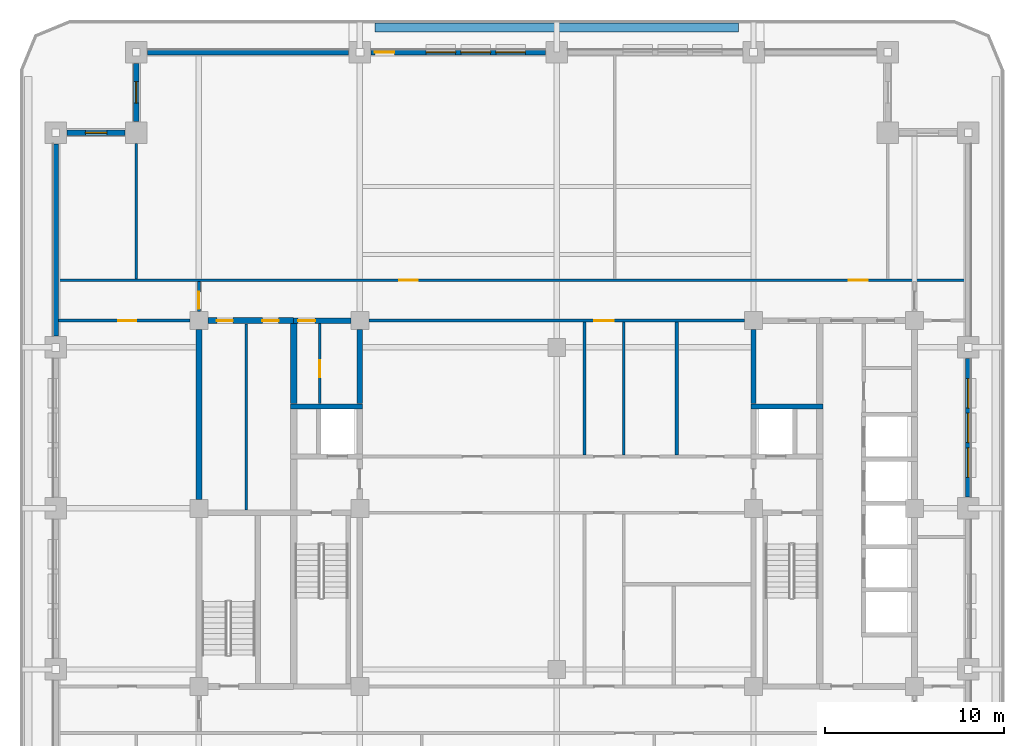
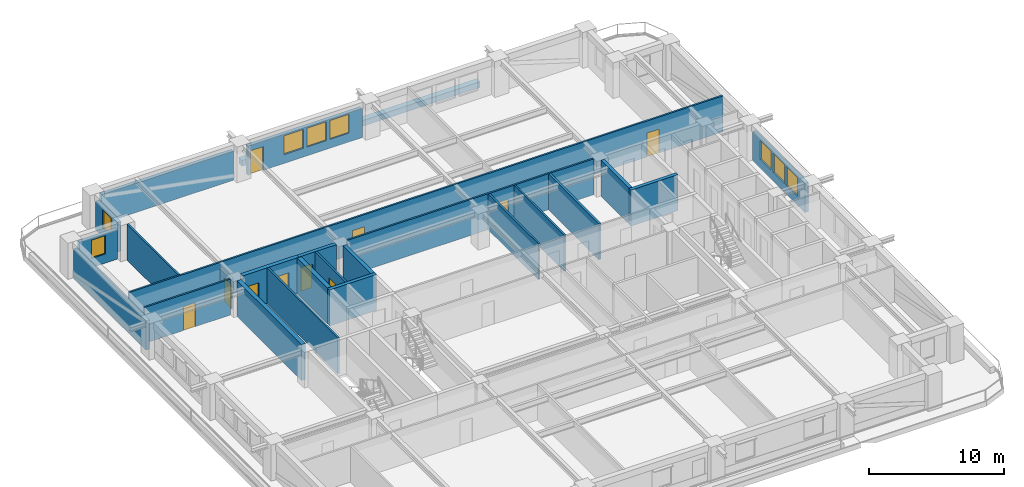
# One storey, part 5 of 15: 25 walls, 10 doors, 8 windows, 18 openings.
"""IFC4 building model written with IfcOpenShell, lengths in metres."""

from ifc_helpers import new_model, si_unit, direction, frame, frame_2d, origin, place, context, subcontext, project, spatial, rectangle, extrude, material, layer, layer_set, type_object, element, fill, save


model = new_model("IFC4")

# Units and contexts
model_context = context("Model", 3, precision=1e-05, world=origin(), true_north=direction((0.0, 1.0)))
body_context = subcontext(model_context, "Body", "Model", "MODEL_VIEW")
ifc_project = project(units=[si_unit("LENGTHUNIT", "METRE"), si_unit("AREAUNIT", "SQUARE_METRE"), si_unit("VOLUMEUNIT", "CUBIC_METRE"), si_unit("PLANEANGLEUNIT", "RADIAN"), si_unit("MASSUNIT", "GRAM", prefix="KILO")], contexts=[model_context])

# Site, building, storey
site_placement = place(None, origin())
site = spatial("IfcSite", under=ifc_project, at=site_placement, CompositionType="ELEMENT")
building_placement = place(site_placement, origin())
building = spatial("IfcBuilding", under=site, at=building_placement, Name="Zulmaris Gate Convention Tower", CompositionType="ELEMENT")
storey_placement = place(building_placement, frame((0.0, 0.0, 139.199951171875)))
storey = spatial("IfcBuildingStorey", under=building, at=storey_placement, Name="L35", CompositionType="ELEMENT", Elevation=139.199951171875)

# Walls
ifc_material_1 = material(Name="Concrete C50/60", Category="concrete")
ifc_layer_1 = layer(ifc_material_1, 0.300048828125, Name="Concrete C50/60")
ifc_layer_set_1 = layer_set([ifc_layer_1], Name="Concrete C50/60")
wall_type_1 = type_object("IfcWallType", Name="CORE-300", PredefinedType="SHEAR", material=ifc_layer_set_1)
for number, where, z_axis, x_axis, name in (
    (1, (-14.875, 5.699951171875, 0.0), (0.0, 0.0, 1.0), (1.0, 0.0, 0.0), "WL-L35-015"),
    (2, (10.85009765625, 5.699951171875, 0.0), (0.0, 0.0, 1.0), (1.0, 0.0, 0.0), "WL-L35-016"),
):
    element("IfcWall", number, at=place(storey_placement, frame(where, z_axis=z_axis, x_axis=x_axis)), inside=storey, type_object=wall_type_1, Name=name, PredefinedType="SHEAR", context=body_context, shape_type="SweptSolid", body=[
        extrude(rectangle(XDim=4.02490234375, YDim=0.300048828125, at=frame_2d((2.012451171875, 0.0))), origin(), (0.0, 0.0, 1.0), 3.244873046875),
    ])

# Wall, opening, door
wall_1_placement = place(storey_placement, frame((-14.699951171875, 10.5, 0.0), z_axis=(0.0, 0.0, 1.0), x_axis=(1.0, 0.0, 0.0)))
wall_1 = element("IfcWall", 3, at=wall_1_placement, inside=storey, type_object=wall_type_1, Name="WL-L35-018", PredefinedType="SHEAR", context=body_context, shape_type="SweptSolid", body=[
    extrude(rectangle(XDim=3.196044921875, YDim=0.300048828125, at=frame_2d((1.59814453125, 0.0))), origin(), (0.0, 0.0, 1.0), 3.244873046875),
])
opening_1_placement = place(wall_1_placement, frame((0.2451171875, 0.0, 0.0)))
opening_1 = element("IfcOpeningElement", 4, at=opening_1_placement, cuts=wall_1, Name="Opening D-11", PredefinedType="OPENING", context=body_context, shape_type="SweptSolid", body=[
    extrude(rectangle(XDim=0.949951171875, YDim=2.14990234375, at=frame_2d((0.47509765625, 1.074951171875))), frame((0.0, 0.16015625, 0.0), z_axis=(0.0, -1.0, 0.0), x_axis=(1.0, 0.0, 0.0)), (0.0, 0.0, 1.0), 0.320068359375),
])
ifc_material_2 = material(Name="Fire-Rated Timber", Category="wood")
door_type_1 = type_object("IfcDoorType", Name="DR-950-FD", OperationType="NOTDEFINED", PredefinedType="DOOR", material=ifc_material_2)
door_1_placement = place(opening_1_placement, origin())
door_1 = element("IfcDoor", 5, at=door_1_placement, inside=storey, type_object=door_type_1, Name="L35 Core Mail Room Door 07", OperationType="SINGLE_SWING_LEFT", OverallHeight=2.14990234375, OverallWidth=0.949951171875, PredefinedType="DOOR", context=body_context, shape_type="SweptSolid", body=[
    extrude(rectangle(XDim=0.949951171875, YDim=2.14990234375, at=frame_2d((0.47509765625, 1.074951171875))), frame((0.0, 0.02490234375, 0.0), z_axis=(0.0, -1.0, 0.0), x_axis=(1.0, 0.0, 0.0)), (0.0, 0.0, 1.0), 0.050048828125),
])
fill(opening_1, door_1)

# Walls
for number, where, z_axis, x_axis, name in (
    (6, (-11.0, 5.85205078125, 0.0), (0.0, 0.0, 1.0), (0.0, 1.0, 0.0), "WL-L35-046"),
    (7, (11.0, 5.85205078125, 0.0), (0.0, 0.0, 1.0), (0.0, 1.0, 0.0), "WL-L35-050"),
):
    element("IfcWall", number, at=place(storey_placement, frame(where, z_axis=z_axis, x_axis=x_axis)), inside=storey, type_object=wall_type_1, Name=name, PredefinedType="SHEAR", context=body_context, shape_type="SweptSolid", body=[
        extrude(rectangle(XDim=4.14404296875, YDim=0.300048828125, at=frame_2d((2.072021484375, 0.0))), origin(), (0.0, 0.0, 1.0), 3.244873046875),
    ])

# Wall, openings, doors
ifc_material_3 = material(Name="Concrete C55/67", Category="concrete")
ifc_layer_2 = layer(ifc_material_3, 0.35009765625, Name="Concrete C55/67")
ifc_layer_set_2 = layer_set([ifc_layer_2], Name="Concrete C55/67")
wall_type_2 = type_object("IfcWallType", Name="CORE-350", PredefinedType="SHEAR", material=ifc_layer_set_2)
wall_2_placement = place(storey_placement, frame((-19.49609375, 10.5, 0.0), z_axis=(0.0, 0.0, 1.0), x_axis=(1.0, 0.0, 0.0)))
wall_2 = element("IfcWall", 8, at=wall_2_placement, inside=storey, type_object=wall_type_2, Name="WL-L35-017", PredefinedType="SHEAR", context=body_context, shape_type="SweptSolid", body=[
    extrude(rectangle(XDim=4.796142578125, YDim=0.35009765625, at=frame_2d((2.39794921875, 0.0))), origin(), (0.0, 0.0, 1.0), 3.244873046875),
])
opening_2_placement = place(wall_2_placement, frame((0.49609375, 0.0, 0.0)))
opening_2 = element("IfcOpeningElement", 9, at=opening_2_placement, cuts=wall_2, Name="Opening D-12", PredefinedType="OPENING", context=body_context, shape_type="SweptSolid", body=[
    extrude(rectangle(XDim=0.89990234375, YDim=2.14990234375, at=frame_2d((0.449951171875, 1.074951171875))), frame((0.0, 0.18505859375, 0.0), z_axis=(0.0, -1.0, 0.0), x_axis=(1.0, 0.0, 0.0)), (0.0, 0.0, 1.0), 0.3701171875),
])
opening_3_placement = place(wall_2_placement, frame((3.0458984375, 0.0, 0.0)))
opening_3 = element("IfcOpeningElement", 10, at=opening_3_placement, cuts=wall_2, Name="Opening D-12", PredefinedType="OPENING", context=body_context, shape_type="SweptSolid", body=[
    extrude(rectangle(XDim=0.89990234375, YDim=2.14990234375, at=frame_2d((0.449951171875, 1.074951171875))), frame((0.0, 0.18505859375, 0.0), z_axis=(0.0, -1.0, 0.0), x_axis=(1.0, 0.0, 0.0)), (0.0, 0.0, 1.0), 0.3701171875),
])
door_type_2 = type_object("IfcDoorType", Name="DR-900-FD", OperationType="NOTDEFINED", PredefinedType="DOOR", material=ifc_material_2)
door_2_placement = place(opening_2_placement, origin())
door_2 = element("IfcDoor", 11, at=door_2_placement, inside=storey, type_object=door_type_2, Name="L35 Server Room Door 11", OperationType="SINGLE_SWING_LEFT", OverallHeight=2.14990234375, OverallWidth=0.89990234375, PredefinedType="DOOR", context=body_context, shape_type="SweptSolid", body=[
    extrude(rectangle(XDim=0.89990234375, YDim=2.14990234375, at=frame_2d((0.449951171875, 1.074951171875))), frame((0.0, 0.02490234375, 0.0), z_axis=(0.0, -1.0, 0.0), x_axis=(1.0, 0.0, 0.0)), (0.0, 0.0, 1.0), 0.050048828125),
])
fill(opening_2, door_2)
door_3_placement = place(opening_3_placement, origin())
door_3 = element("IfcDoor", 12, at=door_3_placement, inside=storey, type_object=door_type_2, Name="L35 Reclaimed Pantry Door 12", OperationType="SINGLE_SWING_RIGHT", OverallHeight=2.14990234375, OverallWidth=0.89990234375, PredefinedType="DOOR", context=body_context, shape_type="SweptSolid", body=[
    extrude(rectangle(XDim=0.89990234375, YDim=2.14990234375, at=frame_2d((0.449951171875, 1.074951171875))), frame((0.0, 0.02490234375, 0.0), z_axis=(0.0, -1.0, 0.0), x_axis=(1.0, 0.0, 0.0)), (0.0, 0.0, 1.0), 0.050048828125),
])
fill(opening_3, door_3)

# Walls
wall_3_placement = place(storey_placement, frame((-20.0, 0.50390625, 0.0), z_axis=(0.0, 0.0, 1.0), x_axis=(0.0, 1.0, 0.0)))
element("IfcWall", 13, at=wall_3_placement, inside=storey, type_object=wall_type_2, Name="WL-L35-035", PredefinedType="SHEAR", context=body_context, shape_type="SweptSolid", body=[
    extrude(rectangle(XDim=9.4921875, YDim=0.35009765625, at=frame_2d((4.74609375, 0.0))), origin(), (0.0, 0.0, 1.0), 3.244873046875),
])
wall_4_placement = place(storey_placement, frame((-14.699951171875, 5.85205078125, 0.0), z_axis=(0.0, 0.0, 1.0), x_axis=(0.0, 1.0, 0.0)))
element("IfcWall", 14, at=wall_4_placement, inside=storey, type_object=wall_type_2, Name="WL-L35-040", PredefinedType="SHEAR", context=body_context, shape_type="SweptSolid", body=[
    extrude(rectangle(XDim=4.470947265625, YDim=0.35009765625, at=frame_2d((2.2353515625, 0.0))), origin(), (0.0, 0.0, 1.0), 3.244873046875),
])

# Wall, opening, door
ifc_material_4 = material(Name="Gypsum Metal Stud Partition")
ifc_layer_3 = layer(ifc_material_4, 0.14990234375, Name="Gypsum Metal Stud Partition")
ifc_layer_set_3 = layer_set([ifc_layer_3], Name="Gypsum Metal Stud Partition")
wall_type_3 = type_object("IfcWallType", Name="PART-150", PredefinedType="PARTITIONING", material=ifc_layer_set_3)
wall_5_placement = place(storey_placement, frame((-27.8349609375, 10.5, 0.0), z_axis=(0.0, 0.0, 1.0), x_axis=(1.0, 0.0, 0.0)))
wall_5 = element("IfcWall", 15, at=wall_5_placement, inside=storey, type_object=wall_type_3, Name="WL-L35-030", PredefinedType="PARTITIONING", context=body_context, shape_type="SweptSolid", body=[
    extrude(rectangle(XDim=7.328857421875, YDim=0.14990234375, at=frame_2d((3.66455078125, 0.0))), origin(), (0.0, 0.0, 1.0), 3.244873046875),
])
opening_4_placement = place(wall_5_placement, frame((3.3349609375, 0.0, 0.0)))
opening_4 = element("IfcOpeningElement", 16, at=opening_4_placement, cuts=wall_5, Name="Opening D-10", PredefinedType="OPENING", context=body_context, shape_type="SweptSolid", body=[
    extrude(rectangle(XDim=1.0, YDim=2.14990234375, at=frame_2d((0.5, 1.074951171875))), frame((0.0, 0.0849609375, 0.0), z_axis=(0.0, -1.0, 0.0), x_axis=(1.0, 0.0, 0.0)), (0.0, 0.0, 1.0), 0.169921875),
])
door_type_3 = type_object("IfcDoorType", Name="DR-1000-FD", OperationType="NOTDEFINED", PredefinedType="DOOR", material=ifc_material_2)
door_4_placement = place(opening_4_placement, origin())
door_4 = element("IfcDoor", 17, at=door_4_placement, inside=storey, type_object=door_type_3, Name="L35 West Workplace North Door 39", OperationType="SINGLE_SWING_LEFT", OverallHeight=2.14990234375, OverallWidth=1.0, PredefinedType="DOOR", context=body_context, shape_type="SweptSolid", body=[
    extrude(rectangle(XDim=1.0, YDim=2.14990234375, at=frame_2d((0.5, 1.074951171875))), frame((0.0, 0.02490234375, 0.0), z_axis=(0.0, -1.0, 0.0), x_axis=(1.0, 0.0, 0.0)), (0.0, 0.0, 1.0), 0.050048828125),
])
fill(opening_4, door_4)

wall_6_placement = place(storey_placement, frame((-10.493896484375, 10.5, 0.0), z_axis=(0.0, 0.0, 1.0), x_axis=(1.0, 0.0, 0.0)))
wall_6 = element("IfcWall", 18, at=wall_6_placement, inside=storey, type_object=wall_type_3, Name="WL-L35-031", PredefinedType="PARTITIONING", context=body_context, shape_type="SweptSolid", body=[
    extrude(rectangle(XDim=20.98779296875, YDim=0.14990234375, at=frame_2d((10.493896484375, 0.0))), origin(), (0.0, 0.0, 1.0), 3.244873046875),
])
opening_5_placement = place(wall_6_placement, frame((12.593994140625, 0.0, 0.0)))
opening_5 = element("IfcOpeningElement", 19, at=opening_5_placement, cuts=wall_6, Name="Opening D-08", PredefinedType="OPENING", context=body_context, shape_type="SweptSolid", body=[
    extrude(rectangle(XDim=1.10009765625, YDim=2.14990234375, at=frame_2d((0.550048828125, 1.074951171875))), frame((0.0, 0.0849609375, 0.0), z_axis=(0.0, -1.0, 0.0), x_axis=(1.0, 0.0, 0.0)), (0.0, 0.0, 1.0), 0.169921875),
])
ifc_material_5 = material(Name="Fire-Rated Steel", Category="steel")
door_type_4 = type_object("IfcDoorType", Name="DR-1100-FD", OperationType="NOTDEFINED", PredefinedType="DOOR", material=ifc_material_5)
door_5_placement = place(opening_5_placement, origin())
door_5 = element("IfcDoor", 20, at=door_5_placement, inside=storey, type_object=door_type_4, Name="L35 North Gallery Link Door 21", OperationType="SINGLE_SWING_LEFT", OverallHeight=2.14990234375, OverallWidth=1.10009765625, PredefinedType="DOOR", context=body_context, shape_type="SweptSolid", body=[
    extrude(rectangle(XDim=1.10009765625, YDim=2.14990234375, at=frame_2d((0.550048828125, 1.074951171875))), frame((0.0, 0.02490234375, 0.0), z_axis=(0.0, -1.0, 0.0), x_axis=(1.0, 0.0, 0.0)), (0.0, 0.0, 1.0), 0.050048828125),
])
fill(opening_5, door_5)

# Wall, openings, doors
wall_7_placement = place(storey_placement, frame((-27.8349609375, 12.75, 0.0), z_axis=(0.0, 0.0, 1.0), x_axis=(1.0, 0.0, 0.0)))
wall_7 = element("IfcWall", 21, at=wall_7_placement, inside=storey, type_object=wall_type_3, Name="WL-L35-033", PredefinedType="PARTITIONING", context=body_context, shape_type="SweptSolid", body=[
    extrude(rectangle(XDim=50.669921875, YDim=0.14990234375, at=frame_2d((25.3349609375, 0.0))), origin(), (0.0, 0.0, 1.0), 3.244873046875),
])
opening_6_placement = place(wall_7_placement, frame((19.030029296875, 0.0, 0.0)))
opening_6 = element("IfcOpeningElement", 22, at=opening_6_placement, cuts=wall_7, Name="Opening D-09", PredefinedType="OPENING", context=body_context, shape_type="SweptSolid", body=[
    extrude(rectangle(XDim=1.050048828125, YDim=2.14990234375, at=frame_2d((0.52490234375, 1.074951171875))), frame((0.0, 0.0849609375, 0.0), z_axis=(0.0, -1.0, 0.0), x_axis=(1.0, 0.0, 0.0)), (0.0, 0.0, 1.0), 0.169921875),
])
opening_7_placement = place(wall_7_placement, frame((44.159912109375, 0.0, 0.0)))
opening_7 = element("IfcOpeningElement", 23, at=opening_7_placement, cuts=wall_7, Name="Opening D-09", PredefinedType="OPENING", context=body_context, shape_type="SweptSolid", body=[
    extrude(rectangle(XDim=1.050048828125, YDim=2.14990234375, at=frame_2d((0.52490234375, 1.074951171875))), frame((0.0, 0.0849609375, 0.0), z_axis=(0.0, -1.0, 0.0), x_axis=(1.0, 0.0, 0.0)), (0.0, 0.0, 1.0), 0.169921875),
])
door_type_5 = type_object("IfcDoorType", Name="DR-1050-FD", OperationType="NOTDEFINED", PredefinedType="DOOR", material=ifc_material_5)
door_6_placement = place(opening_6_placement, origin())
door_6 = element("IfcDoor", 24, at=door_6_placement, inside=storey, type_object=door_type_5, Name="L35 Delegate Business Lounge Door 25", OperationType="SINGLE_SWING_LEFT", OverallHeight=2.14990234375, OverallWidth=1.050048828125, PredefinedType="DOOR", context=body_context, shape_type="SweptSolid", body=[
    extrude(rectangle(XDim=1.050048828125, YDim=2.14990234375, at=frame_2d((0.52490234375, 1.074951171875))), frame((0.0, 0.02490234375, 0.0), z_axis=(0.0, -1.0, 0.0), x_axis=(1.0, 0.0, 0.0)), (0.0, 0.0, 1.0), 0.050048828125),
])
fill(opening_6, door_6)
door_7_placement = place(opening_7_placement, origin())
door_7 = element("IfcDoor", 25, at=door_7_placement, inside=storey, type_object=door_type_5, Name="L35 Commercial Advisory Office Door 26", OperationType="SINGLE_SWING_RIGHT", OverallHeight=2.14990234375, OverallWidth=1.050048828125, PredefinedType="DOOR", context=body_context, shape_type="SweptSolid", body=[
    extrude(rectangle(XDim=1.050048828125, YDim=2.14990234375, at=frame_2d((0.52490234375, 1.074951171875))), frame((0.0, 0.02490234375, 0.0), z_axis=(0.0, -1.0, 0.0), x_axis=(1.0, 0.0, 0.0)), (0.0, 0.0, 1.0), 0.050048828125),
])
fill(opening_7, door_7)

# Wall
wall_8_placement = place(storey_placement, frame((-23.5, 12.827880859375, 0.0), z_axis=(0.0, 0.0, 1.0), x_axis=(0.0, 1.0, 0.0)))
element("IfcWall", 26, at=wall_8_placement, inside=storey, type_object=wall_type_3, Name="WL-L35-070", PredefinedType="PARTITIONING", context=body_context, shape_type="SweptSolid", body=[
    extrude(rectangle(XDim=7.566162109375, YDim=0.14990234375, at=frame_2d((3.783203125, 0.0))), origin(), (0.0, 0.0, 1.0), 3.244873046875),
])

# Wall, opening, door
wall_9_placement = place(storey_placement, frame((-20.0, 11.006103515625, 0.0), z_axis=(0.0, 0.0, 1.0), x_axis=(0.0, 1.0, 0.0)))
wall_9 = element("IfcWall", 27, at=wall_9_placement, inside=storey, type_object=wall_type_3, Name="WL-L35-072", PredefinedType="PARTITIONING", context=body_context, shape_type="SweptSolid", body=[
    extrude(rectangle(XDim=1.666015625, YDim=0.14990234375, at=frame_2d((0.8330078125, 0.0))), origin(), (0.0, 0.0, 1.0), 2.73486328125),
])
opening_8_placement = place(wall_9_placement, frame((0.14990234375, 0.0, 0.0)))
opening_8 = element("IfcOpeningElement", 28, at=opening_8_placement, cuts=wall_9, Name="Opening D-11", PredefinedType="OPENING", context=body_context, shape_type="SweptSolid", body=[
    extrude(rectangle(XDim=0.949951171875, YDim=2.14990234375, at=frame_2d((0.47509765625, 1.074951171875))), frame((0.0, 0.0849609375, 0.0), z_axis=(0.0, -1.0, 0.0), x_axis=(1.0, 0.0, 0.0)), (0.0, 0.0, 1.0), 0.169921875),
])
door_8_placement = place(opening_8_placement, origin())
door_8 = element("IfcDoor", 29, at=door_8_placement, inside=storey, type_object=door_type_1, Name="L35 NW Spur Door 37", OperationType="SINGLE_SWING_LEFT", OverallHeight=2.14990234375, OverallWidth=0.949951171875, PredefinedType="DOOR", context=body_context, shape_type="SweptSolid", body=[
    extrude(rectangle(XDim=0.949951171875, YDim=2.14990234375, at=frame_2d((0.47509765625, 1.074951171875))), frame((0.0, 0.02490234375, 0.0), z_axis=(0.0, -1.0, 0.0), x_axis=(1.0, 0.0, 0.0)), (0.0, 0.0, 1.0), 0.050048828125),
])
fill(opening_8, door_8)

# Wall
wall_10_placement = place(storey_placement, frame((-17.35009765625, -0.096923828125, 0.0), z_axis=(0.0, 0.0, 1.0), x_axis=(0.0, 1.0, 0.0)))
element("IfcWall", 30, at=wall_10_placement, inside=storey, type_object=wall_type_3, Name="WL-L35-073", PredefinedType="PARTITIONING", context=body_context, shape_type="SweptSolid", body=[
    extrude(rectangle(XDim=10.4189453125, YDim=0.14990234375, at=frame_2d((5.20947265625, 0.0))), origin(), (0.0, 0.0, 1.0), 3.244873046875),
])

# Wall, opening, door
wall_11_placement = place(storey_placement, frame((-13.25, 5.85302734375, 0.0), z_axis=(0.0, 0.0, 1.0), x_axis=(0.0, 1.0, 0.0)))
wall_11 = element("IfcWall", 31, at=wall_11_placement, inside=storey, type_object=wall_type_3, Name="WL-L35-074", PredefinedType="PARTITIONING", context=body_context, shape_type="SweptSolid", body=[
    extrude(rectangle(XDim=4.493896484375, YDim=0.14990234375, at=frame_2d((2.2470703125, 0.0))), origin(), (0.0, 0.0, 1.0), 3.244873046875),
])
opening_9_placement = place(wall_11_placement, frame((1.471923828125, 0.0, 0.0)))
opening_9 = element("IfcOpeningElement", 32, at=opening_9_placement, cuts=wall_11, Name="Opening D-11", PredefinedType="OPENING", context=body_context, shape_type="SweptSolid", body=[
    extrude(rectangle(XDim=0.949951171875, YDim=2.14990234375, at=frame_2d((0.47509765625, 1.074951171875))), frame((0.0, 0.0849609375, 0.0), z_axis=(0.0, -1.0, 0.0), x_axis=(1.0, 0.0, 0.0)), (0.0, 0.0, 1.0), 0.169921875),
])
door_9_placement = place(opening_9_placement, origin())
door_9 = element("IfcDoor", 33, at=door_9_placement, inside=storey, type_object=door_type_1, Name="L35 Core Janitor Door 08", OperationType="SINGLE_SWING_RIGHT", OverallHeight=2.14990234375, OverallWidth=0.949951171875, PredefinedType="DOOR", context=body_context, shape_type="SweptSolid", body=[
    extrude(rectangle(XDim=0.949951171875, YDim=2.14990234375, at=frame_2d((0.47509765625, 1.074951171875))), frame((0.0, 0.02490234375, 0.0), z_axis=(0.0, -1.0, 0.0), x_axis=(1.0, 0.0, 0.0)), (0.0, 0.0, 1.0), 0.050048828125),
])
fill(opening_9, door_9)

# Walls
for number, where, z_axis, x_axis, name in (
    (34, (1.550048828125, 2.97802734375, 0.0), (0.0, 0.0, 1.0), (0.0, 1.0, 0.0), "WL-L35-077"),
    (35, (3.75, 2.97802734375, 0.0), (0.0, 0.0, 1.0), (0.0, 1.0, 0.0), "WL-L35-081"),
):
    element("IfcWall", number, at=place(storey_placement, frame(where, z_axis=z_axis, x_axis=x_axis)), inside=storey, type_object=wall_type_3, Name=name, PredefinedType="PARTITIONING", context=body_context, shape_type="SweptSolid", body=[
        extrude(rectangle(XDim=7.444091796875, YDim=0.14990234375, at=frame_2d((3.72216796875, 0.0))), origin(), (0.0, 0.0, 1.0), 3.244873046875),
    ])
ifc_material_6 = material(Name="Autoclaved Aerated Concrete Block and Plasterboard", Category="concrete")
ifc_layer_4 = layer(ifc_material_6, 0.199951171875, Name="Autoclaved Aerated Concrete Block and Plasterboard")
ifc_layer_set_4 = layer_set([ifc_layer_4], Name="Autoclaved Aerated Concrete Block and Plasterboard")
wall_type_4 = type_object("IfcWallType", Name="PART-200", PredefinedType="PARTITIONING", material=ifc_layer_set_4)
wall_12_placement = place(storey_placement, frame((6.719970703125, 2.97802734375, 0.0), z_axis=(0.0, 0.0, 1.0), x_axis=(0.0, 1.0, 0.0)))
element("IfcWall", 36, at=wall_12_placement, inside=storey, type_object=wall_type_4, Name="WL-L35-084", PredefinedType="PARTITIONING", context=body_context, shape_type="SweptSolid", body=[
    extrude(rectangle(XDim=7.444091796875, YDim=0.199951171875, at=frame_2d((3.72216796875, 0.0))), origin(), (0.0, 0.0, 1.0), 3.244873046875),
])
ifc_material_7 = material(Name="Botanical Green Glazed Precast Concrete C40/50", Category="concrete")
ifc_layer_5 = layer(ifc_material_7, 0.419921875, Name="Botanical Green Glazed Precast Concrete C40/50")
ifc_layer_set_5 = layer_set([ifc_layer_5], Name="Botanical Green Glazed Precast Concrete C40/50")
wall_type_5 = type_object("IfcWallType", Name="PLANTER-CURB-200", PredefinedType="PARAPET", material=ifc_layer_set_5)
wall_13_placement = place(storey_placement, frame((-10.14990234375, 26.8798828125, -0.0400390625), z_axis=(0.0, 0.0, 1.0), x_axis=(1.0, 0.0, 0.0)))
element("IfcWall", 37, at=wall_13_placement, inside=storey, type_object=wall_type_5, Name="L35 Full-Length Balcony Tree Planter Trough", PredefinedType="PARAPET", context=body_context, shape_type="SweptSolid", body=[
    extrude(rectangle(XDim=20.2998046875, YDim=0.47998046875, at=frame_2d((10.14990234375, 0.0))), origin(), (0.0, 0.0, 1.0), 0.52001953125),
])

# Wall, opening, window
ifc_material_8 = material(Name="Precast concrete C40/50", Category="concrete")
ifc_layer_6 = layer(ifc_material_8, 0.300048828125, Name="Precast concrete C40/50")
ifc_layer_set_6 = layer_set([ifc_layer_6], Name="Precast concrete C40/50")
wall_type_6 = type_object("IfcWallType", Name="PRECAST-PIER-300", PredefinedType="STANDARD", material=ifc_layer_set_6)
wall_14_placement = place(storey_placement, frame((-23.5, 24.8701171875, 0.0), z_axis=(0.0, 0.0, 1.0), x_axis=(0.0, -1.0, 0.0)))
wall_14 = element("IfcWall", 38, at=wall_14_placement, inside=storey, type_object=wall_type_6, Name="EW-L35-NOTCH-NW1_0", PredefinedType="STANDARD", context=body_context, shape_type="SweptSolid", body=[
    extrude(rectangle(XDim=3.240234375, YDim=0.300048828125, at=frame_2d((1.6201171875, 0.0))), origin(), (0.0, 0.0, 1.0), 2.636962890625),
])
opening_10_placement = place(wall_14_placement, frame((1.02001953125, 0.0, 0.820068359375)))
opening_10 = element("IfcOpeningElement", 39, at=opening_10_placement, cuts=wall_14, Name="Opening W-04", PredefinedType="OPENING", context=body_context, shape_type="SweptSolid", body=[
    extrude(rectangle(XDim=1.199951171875, YDim=1.64990234375, at=frame_2d((0.60009765625, 0.824951171875))), frame((0.0, 0.16015625, 0.0), z_axis=(0.0, -1.0, 0.0), x_axis=(1.0, 0.0, 0.0)), (0.0, 0.0, 1.0), 0.320068359375),
])
ifc_material_9 = material(Name="Low-E Laminated Double Glazing in Aluminium Frame", Category="aluminium")
window_type_1 = type_object("IfcWindowType", Name="WIN-1200x2100", PartitioningType="SINGLE_PANEL", PredefinedType="WINDOW", material=ifc_material_9)
window_1_placement = place(opening_10_placement, origin())
window_1 = element("IfcWindow", 40, at=window_1_placement, inside=storey, type_object=window_type_1, Name="WN-EW-L35-NOTCH-NW1_0", OverallHeight=1.64990234375, OverallWidth=1.199951171875, PartitioningType="SINGLE_PANEL", PredefinedType="WINDOW", context=body_context, shape_type="SweptSolid", body=[
    extrude(rectangle(XDim=1.199951171875, YDim=1.64990234375, at=frame_2d((0.60009765625, 0.824951171875))), frame((0.0, 0.030029296875, 0.0), z_axis=(0.0, -1.0, 0.0), x_axis=(1.0, 0.0, 0.0)), (0.0, 0.0, 1.0), 0.06005859375),
])
fill(opening_10, window_1)

wall_15_placement = place(storey_placement, frame((-24.1298828125, 21.0, 0.0), z_axis=(0.0, 0.0, 1.0), x_axis=(-1.0, 0.0, 0.0)))
wall_15 = element("IfcWall", 41, at=wall_15_placement, inside=storey, type_object=wall_type_6, Name="EW-L35-NOTCH-NW2_0", PredefinedType="STANDARD", context=body_context, shape_type="SweptSolid", body=[
    extrude(rectangle(XDim=3.240234375, YDim=0.300048828125, at=frame_2d((1.6201171875, 0.0))), origin(), (0.0, 0.0, 1.0), 2.636962890625),
])
opening_11_placement = place(wall_15_placement, frame((1.02001953125, 0.0, 0.820068359375)))
opening_11 = element("IfcOpeningElement", 42, at=opening_11_placement, cuts=wall_15, Name="Opening W-04", PredefinedType="OPENING", context=body_context, shape_type="SweptSolid", body=[
    extrude(rectangle(XDim=1.199951171875, YDim=1.64990234375, at=frame_2d((0.60009765625, 0.824951171875))), frame((0.0, 0.16015625, 0.0), z_axis=(0.0, -1.0, 0.0), x_axis=(1.0, 0.0, 0.0)), (0.0, 0.0, 1.0), 0.320068359375),
])
window_2_placement = place(opening_11_placement, origin())
window_2 = element("IfcWindow", 43, at=window_2_placement, inside=storey, type_object=window_type_1, Name="WN-EW-L35-NOTCH-NW2_0", OverallHeight=1.64990234375, OverallWidth=1.199951171875, PartitioningType="SINGLE_PANEL", PredefinedType="WINDOW", context=body_context, shape_type="SweptSolid", body=[
    extrude(rectangle(XDim=1.199951171875, YDim=1.64990234375, at=frame_2d((0.60009765625, 0.824951171875))), frame((0.0, 0.030029296875, 0.0), z_axis=(0.0, -1.0, 0.0), x_axis=(1.0, 0.0, 0.0)), (0.0, 0.0, 1.0), 0.06005859375),
])
fill(opening_11, window_2)

# Wall
wall_16_placement = place(storey_placement, frame((-11.6298828125, 25.5, 0.0), z_axis=(0.0, 0.0, 1.0), x_axis=(-1.0, 0.0, 0.0)))
element("IfcWall", 44, at=wall_16_placement, inside=storey, type_object=wall_type_6, Name="EW-L35-N-0_0", PredefinedType="STANDARD", context=body_context, shape_type="SweptSolid", body=[
    extrude(rectangle(XDim=11.240234375, YDim=0.300048828125, at=frame_2d((5.6201171875, 0.0))), origin(), (0.0, 0.0, 1.0), 2.636962890625),
])

# Wall, openings, door, windows
wall_17_placement = place(storey_placement, frame((-0.6298828125, 25.5, 0.0), z_axis=(0.0, 0.0, 1.0), x_axis=(-1.0, 0.0, 0.0)))
wall_17 = element("IfcWall", 45, at=wall_17_placement, inside=storey, type_object=wall_type_6, Name="EW-L35-N-1_0", PredefinedType="STANDARD", context=body_context, shape_type="SweptSolid", body=[
    extrude(rectangle(XDim=9.740234375, YDim=0.300048828125, at=frame_2d((4.8701171875, 0.0))), origin(), (0.0, 0.0, 1.0), 2.636962890625),
])
opening_12_placement = place(wall_17_placement, frame((8.43994140625, 0.0, 0.0)))
opening_12 = element("IfcOpeningElement", 46, at=opening_12_placement, cuts=wall_17, Name="Opening D-04", PredefinedType="OPENING", context=body_context, shape_type="SweptSolid", body=[
    extrude(rectangle(XDim=1.10009765625, YDim=2.14990234375, at=frame_2d((0.550048828125, 1.074951171875))), frame((0.0, 0.16015625, 0.0), z_axis=(0.0, -1.0, 0.0), x_axis=(1.0, 0.0, 0.0)), (0.0, 0.0, 1.0), 0.320068359375),
])
opening_13_placement = place(wall_17_placement, frame((1.123046875, 0.0, 0.800048828125)))
opening_13 = element("IfcOpeningElement", 47, at=opening_13_placement, cuts=wall_17, Name="Opening W-08", PredefinedType="OPENING", context=body_context, shape_type="SweptSolid", body=[
    extrude(rectangle(XDim=1.64990234375, YDim=1.699951171875, at=frame_2d((0.824951171875, 0.85009765625))), frame((0.0, 0.16015625, 0.0), z_axis=(0.0, -1.0, 0.0), x_axis=(1.0, 0.0, 0.0)), (0.0, 0.0, 1.0), 0.320068359375),
])
opening_14_placement = place(wall_17_placement, frame((3.071044921875, 0.0, 0.800048828125)))
opening_14 = element("IfcOpeningElement", 48, at=opening_14_placement, cuts=wall_17, Name="Opening W-08", PredefinedType="OPENING", context=body_context, shape_type="SweptSolid", body=[
    extrude(rectangle(XDim=1.64990234375, YDim=1.699951171875, at=frame_2d((0.824951171875, 0.85009765625))), frame((0.0, 0.16015625, 0.0), z_axis=(0.0, -1.0, 0.0), x_axis=(1.0, 0.0, 0.0)), (0.0, 0.0, 1.0), 0.320068359375),
])
opening_15_placement = place(wall_17_placement, frame((5.01904296875, 0.0, 0.800048828125)))
opening_15 = element("IfcOpeningElement", 49, at=opening_15_placement, cuts=wall_17, Name="Opening W-08", PredefinedType="OPENING", context=body_context, shape_type="SweptSolid", body=[
    extrude(rectangle(XDim=1.64990234375, YDim=1.699951171875, at=frame_2d((0.824951171875, 0.85009765625))), frame((0.0, 0.16015625, 0.0), z_axis=(0.0, -1.0, 0.0), x_axis=(1.0, 0.0, 0.0)), (0.0, 0.0, 1.0), 0.320068359375),
])
ifc_material_10 = material(Name="Anodised Aluminium and Laminated Glass", Category="aluminium")
door_type_6 = type_object("IfcDoorType", Name="ED-1100", OperationType="SINGLE_SWING_RIGHT", PredefinedType="DOOR", material=ifc_material_10)
door_10_placement = place(opening_12_placement, origin())
door_10 = element("IfcDoor", 50, at=door_10_placement, inside=storey, type_object=door_type_6, Name="L35 N Planted Terrace Door", OperationType="SINGLE_SWING_LEFT", OverallHeight=2.14990234375, OverallWidth=1.10009765625, PredefinedType="DOOR", context=body_context, shape_type="SweptSolid", body=[
    extrude(rectangle(XDim=1.10009765625, YDim=2.14990234375, at=frame_2d((0.550048828125, 1.074951171875))), frame((0.0, 0.02490234375, 0.0), z_axis=(0.0, -1.0, 0.0), x_axis=(1.0, 0.0, 0.0)), (0.0, 0.0, 1.0), 0.050048828125),
])
fill(opening_12, door_10)
window_type_2 = type_object("IfcWindowType", Name="WIN-1650x2150", PartitioningType="SINGLE_PANEL", PredefinedType="WINDOW", material=ifc_material_9)
window_3_placement = place(opening_13_placement, origin())
window_3 = element("IfcWindow", 51, at=window_3_placement, inside=storey, type_object=window_type_2, Name="WN-EW-L35-N-1_0-1", OverallHeight=1.699951171875, OverallWidth=1.64990234375, PartitioningType="SINGLE_PANEL", PredefinedType="WINDOW", context=body_context, shape_type="SweptSolid", body=[
    extrude(rectangle(XDim=1.64990234375, YDim=1.699951171875, at=frame_2d((0.824951171875, 0.85009765625))), frame((0.0, 0.030029296875, 0.0), z_axis=(0.0, -1.0, 0.0), x_axis=(1.0, 0.0, 0.0)), (0.0, 0.0, 1.0), 0.06005859375),
])
fill(opening_13, window_3)
window_4_placement = place(opening_14_placement, origin())
window_4 = element("IfcWindow", 52, at=window_4_placement, inside=storey, type_object=window_type_2, Name="WN-EW-L35-N-1_0-2", OverallHeight=1.699951171875, OverallWidth=1.64990234375, PartitioningType="SINGLE_PANEL", PredefinedType="WINDOW", context=body_context, shape_type="SweptSolid", body=[
    extrude(rectangle(XDim=1.64990234375, YDim=1.699951171875, at=frame_2d((0.824951171875, 0.85009765625))), frame((0.0, 0.030029296875, 0.0), z_axis=(0.0, -1.0, 0.0), x_axis=(1.0, 0.0, 0.0)), (0.0, 0.0, 1.0), 0.06005859375),
])
fill(opening_14, window_4)
window_5_placement = place(opening_15_placement, origin())
window_5 = element("IfcWindow", 53, at=window_5_placement, inside=storey, type_object=window_type_2, Name="WN-EW-L35-N-1_0-3", OverallHeight=1.699951171875, OverallWidth=1.64990234375, PartitioningType="SINGLE_PANEL", PredefinedType="WINDOW", context=body_context, shape_type="SweptSolid", body=[
    extrude(rectangle(XDim=1.64990234375, YDim=1.699951171875, at=frame_2d((0.824951171875, 0.85009765625))), frame((0.0, 0.030029296875, 0.0), z_axis=(0.0, -1.0, 0.0), x_axis=(1.0, 0.0, 0.0)), (0.0, 0.0, 1.0), 0.06005859375),
])
fill(opening_15, window_5)

# Wall, openings, windows
wall_18_placement = place(storey_placement, frame((23.0, 0.6298828125, 0.0), z_axis=(0.0, 0.0, 1.0), x_axis=(0.0, 1.0, 0.0)))
wall_18 = element("IfcWall", 54, at=wall_18_placement, inside=storey, type_object=wall_type_6, Name="EW-L35-E-2_0", PredefinedType="STANDARD", context=body_context, shape_type="SweptSolid", body=[
    extrude(rectangle(XDim=7.740234375, YDim=0.300048828125, at=frame_2d((3.8701171875, 0.0))), origin(), (0.0, 0.0, 1.0), 2.636962890625),
])
opening_16_placement = place(wall_18_placement, frame((1.110107421875, 0.0, 0.800048828125)))
opening_16 = element("IfcOpeningElement", 55, at=opening_16_placement, cuts=wall_18, Name="Opening W-08", PredefinedType="OPENING", context=body_context, shape_type="SweptSolid", body=[
    extrude(rectangle(XDim=1.64990234375, YDim=1.699951171875, at=frame_2d((0.824951171875, 0.85009765625))), frame((0.0, 0.16015625, 0.0), z_axis=(0.0, -1.0, 0.0), x_axis=(1.0, 0.0, 0.0)), (0.0, 0.0, 1.0), 0.320068359375),
])
opening_17_placement = place(wall_18_placement, frame((3.044921875, 0.0, 0.800048828125)))
opening_17 = element("IfcOpeningElement", 56, at=opening_17_placement, cuts=wall_18, Name="Opening W-08", PredefinedType="OPENING", context=body_context, shape_type="SweptSolid", body=[
    extrude(rectangle(XDim=1.64990234375, YDim=1.699951171875, at=frame_2d((0.824951171875, 0.85009765625))), frame((0.0, 0.16015625, 0.0), z_axis=(0.0, -1.0, 0.0), x_axis=(1.0, 0.0, 0.0)), (0.0, 0.0, 1.0), 0.320068359375),
])
opening_18_placement = place(wall_18_placement, frame((4.97998046875, 0.0, 0.800048828125)))
opening_18 = element("IfcOpeningElement", 57, at=opening_18_placement, cuts=wall_18, Name="Opening W-08", PredefinedType="OPENING", context=body_context, shape_type="SweptSolid", body=[
    extrude(rectangle(XDim=1.64990234375, YDim=1.699951171875, at=frame_2d((0.824951171875, 0.85009765625))), frame((0.0, 0.16015625, 0.0), z_axis=(0.0, -1.0, 0.0), x_axis=(1.0, 0.0, 0.0)), (0.0, 0.0, 1.0), 0.320068359375),
])
window_6_placement = place(opening_16_placement, origin())
window_6 = element("IfcWindow", 58, at=window_6_placement, inside=storey, type_object=window_type_2, Name="WN-EW-L35-E-2_0-1", OverallHeight=1.699951171875, OverallWidth=1.64990234375, PartitioningType="SINGLE_PANEL", PredefinedType="WINDOW", context=body_context, shape_type="SweptSolid", body=[
    extrude(rectangle(XDim=1.64990234375, YDim=1.699951171875, at=frame_2d((0.824951171875, 0.85009765625))), frame((0.0, 0.030029296875, 0.0), z_axis=(0.0, -1.0, 0.0), x_axis=(1.0, 0.0, 0.0)), (0.0, 0.0, 1.0), 0.06005859375),
])
fill(opening_16, window_6)
window_7_placement = place(opening_17_placement, origin())
window_7 = element("IfcWindow", 59, at=window_7_placement, inside=storey, type_object=window_type_2, Name="WN-EW-L35-E-2_0-2", OverallHeight=1.699951171875, OverallWidth=1.64990234375, PartitioningType="SINGLE_PANEL", PredefinedType="WINDOW", context=body_context, shape_type="SweptSolid", body=[
    extrude(rectangle(XDim=1.64990234375, YDim=1.699951171875, at=frame_2d((0.824951171875, 0.85009765625))), frame((0.0, 0.030029296875, 0.0), z_axis=(0.0, -1.0, 0.0), x_axis=(1.0, 0.0, 0.0)), (0.0, 0.0, 1.0), 0.06005859375),
])
fill(opening_17, window_7)
window_8_placement = place(opening_18_placement, origin())
window_8 = element("IfcWindow", 60, at=window_8_placement, inside=storey, type_object=window_type_2, Name="WN-EW-L35-E-2_0-3", OverallHeight=1.699951171875, OverallWidth=1.64990234375, PartitioningType="SINGLE_PANEL", PredefinedType="WINDOW", context=body_context, shape_type="SweptSolid", body=[
    extrude(rectangle(XDim=1.64990234375, YDim=1.699951171875, at=frame_2d((0.824951171875, 0.85009765625))), frame((0.0, 0.030029296875, 0.0), z_axis=(0.0, -1.0, 0.0), x_axis=(1.0, 0.0, 0.0)), (0.0, 0.0, 1.0), 0.06005859375),
])
fill(opening_18, window_8)

# Wall
wall_19_placement = place(storey_placement, frame((-28.0, 20.3701171875, 0.0), z_axis=(0.0, 0.0, 1.0), x_axis=(0.0, -1.0, 0.0)))
element("IfcWall", 61, at=wall_19_placement, inside=storey, type_object=wall_type_6, Name="EW-L35-W-3_0", PredefinedType="STANDARD", context=body_context, shape_type="SweptSolid", body=[
    extrude(rectangle(XDim=10.740234375, YDim=0.300048828125, at=frame_2d((5.3701171875, 0.0))), origin(), (0.0, 0.0, 1.0), 2.636962890625),
])

save(model, "model.ifc")
